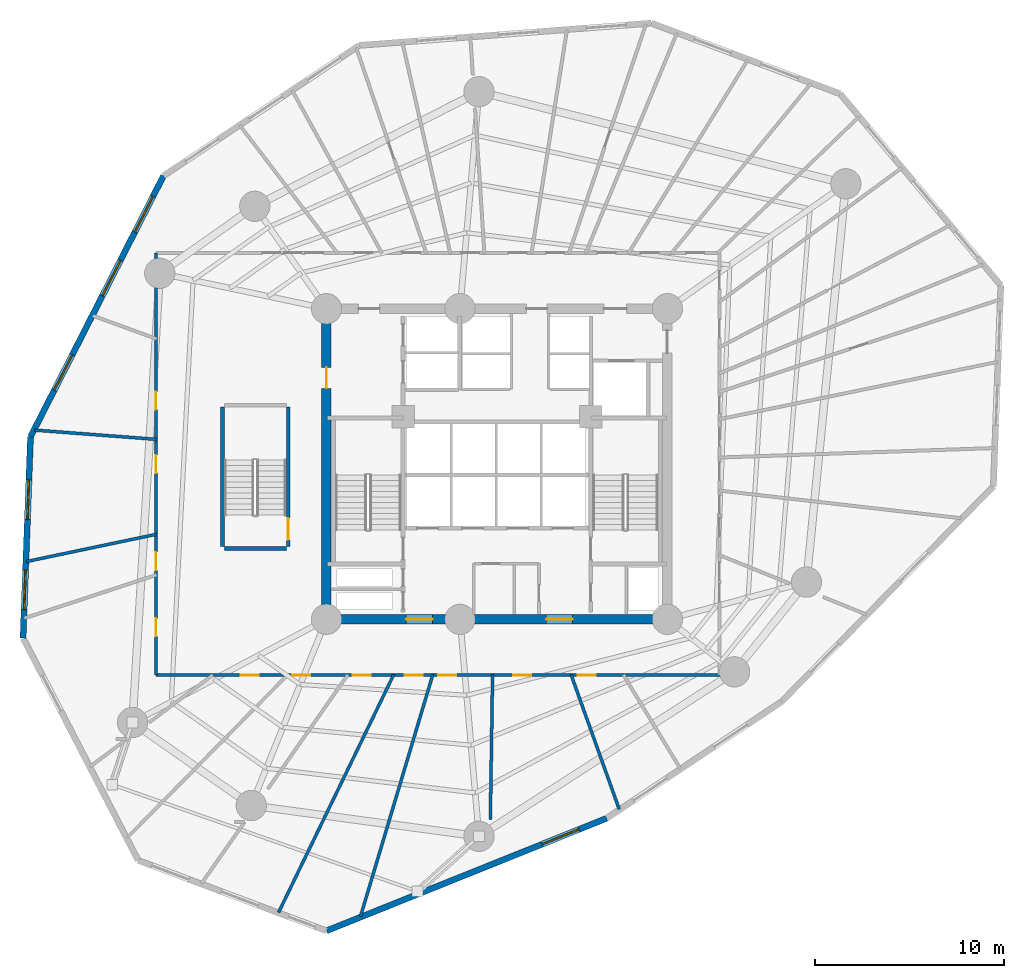
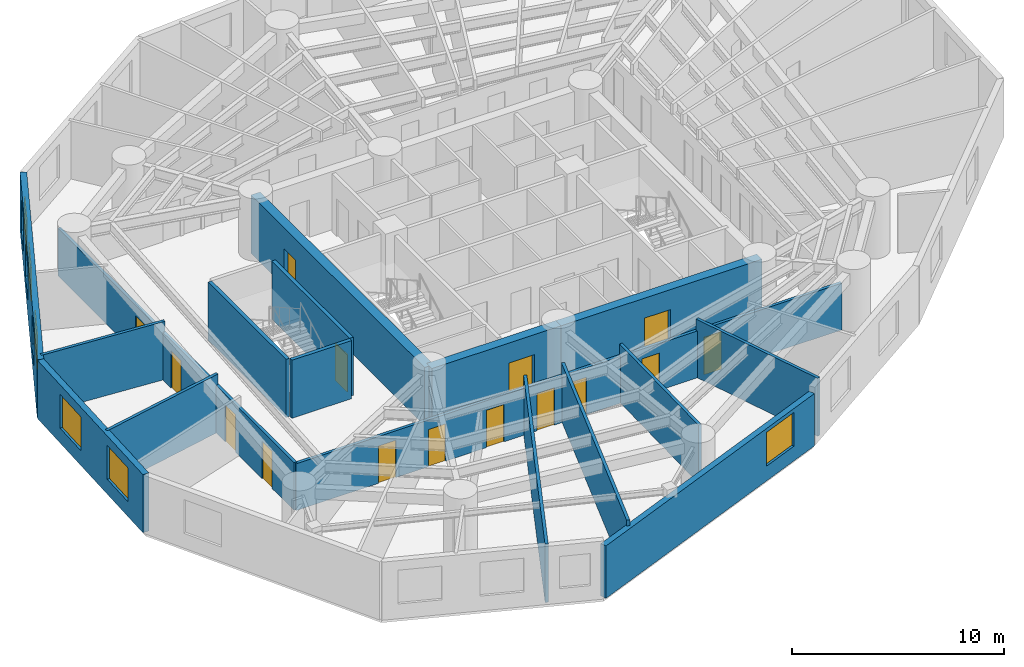
# One storey, part 3 of 8: 17 walls, 15 doors, 6 windows, 21 openings.
"""IFC4 building model written with IfcOpenShell, lengths in metres."""

from ifc_helpers import new_model, si_unit, direction, frame, frame_2d, origin, origin_with_axes, place, context, subcontext, project, spatial, rectangle, extrude, source, transform, mapped, material, layer, layer_set, type_object, element, fill, save


model = new_model("IFC4")

# Units and contexts
model_context = context("Model", 3, precision=1e-05, world=origin(), true_north=direction((0.0, 1.0)))
body_context = subcontext(model_context, "Body", "Model", "MODEL_VIEW")
ifc_project = project(units=[si_unit("LENGTHUNIT", "METRE"), si_unit("AREAUNIT", "SQUARE_METRE"), si_unit("VOLUMEUNIT", "CUBIC_METRE"), si_unit("PLANEANGLEUNIT", "RADIAN"), si_unit("MASSUNIT", "GRAM", prefix="KILO")], contexts=[model_context])

# Site, building, storey
site_placement = place(None, origin())
site = spatial("IfcSite", under=ifc_project, at=site_placement, CompositionType="ELEMENT")
building_placement = place(site_placement, origin())
building = spatial("IfcBuilding", under=site, at=building_placement, Name="Karkom Vertical University and Central Library", CompositionType="ELEMENT")
storey_placement = place(building_placement, frame((0.0, 0.0, 40.89990234375)))
storey = spatial("IfcBuildingStorey", under=building, at=storey_placement, Name="L10", CompositionType="ELEMENT", Elevation=40.89990234375)

# Wall, openings, windows
ifc_material_1 = material(Name="Brick-faced precast concrete C45/55", Category="masonry")
ifc_layer_1 = layer(ifc_material_1, 0.320068359375)
ifc_layer_set_1 = layer_set([ifc_layer_1], Name="Brick-faced precast concrete C45/55")
wall_type_1 = type_object("IfcWallType", Name="ENV-WL-BRK-320", PredefinedType="SOLIDWALL", material=ifc_layer_set_1)
wall_1_placement = place(storey_placement, frame((10.89306640625, 41.718505859375, 0.0), z_axis=(0.0, 0.0, 1.0), x_axis=(-0.453939025407, -0.891032749798, 0.0)))
wall_1 = element("IfcWall", 1, at=wall_1_placement, inside=storey, type_object=wall_type_1, Name="Level 10 Brick-Faced Precast Facade Wall 02", PredefinedType="SOLIDWALL", context=body_context, shape_type="SweptSolid", body=[
    extrude(rectangle(XDim=15.464111328125, YDim=0.320068359375, at=frame_2d((7.73193359375, 0.0))), origin(), (0.0, 0.0, 1.0), 3.35009765625),
])
opening_1_placement = place(wall_1_placement, frame((1.22314453125, 0.0, 0.85009765625)))
opening_1 = element("IfcOpeningElement", 2, at=opening_1_placement, cuts=wall_1, Name="Opening WN-03", PredefinedType="OPENING", context=body_context, shape_type="SweptSolid", body=[
    extrude(rectangle(XDim=2.10009765625, YDim=1.949951171875, at=frame_2d((1.050048828125, 0.97509765625))), frame((0.0, 0.169921875, 0.0), z_axis=(0.0, -1.0, 0.0), x_axis=(1.0, 0.0, 0.0)), (0.0, 0.0, 1.0), 0.340087890625),
])
opening_2_placement = place(wall_1_placement, frame((5.009765625, 0.0, 0.85009765625)))
opening_2 = element("IfcOpeningElement", 3, at=opening_2_placement, cuts=wall_1, Name="Opening WN-03", PredefinedType="OPENING", context=body_context, shape_type="SweptSolid", body=[
    extrude(rectangle(XDim=2.10009765625, YDim=1.949951171875, at=frame_2d((1.050048828125, 0.97509765625))), frame((0.0, 0.169921875, 0.0), z_axis=(0.0, -1.0, 0.0), x_axis=(1.0, 0.0, 0.0)), (0.0, 0.0, 1.0), 0.340087890625),
])
opening_3_placement = place(wall_1_placement, frame((10.606689453125, 0.0, 0.85009765625)))
opening_3 = element("IfcOpeningElement", 4, at=opening_3_placement, cuts=wall_1, Name="Opening WN-03", PredefinedType="OPENING", context=body_context, shape_type="SweptSolid", body=[
    extrude(rectangle(XDim=2.10009765625, YDim=1.949951171875, at=frame_2d((1.050048828125, 0.97509765625))), frame((0.0, 0.169921875, 0.0), z_axis=(0.0, -1.0, 0.0), x_axis=(1.0, 0.0, 0.0)), (0.0, 0.0, 1.0), 0.340087890625),
])
ifc_material_2 = material(Name="Aluminium thermal-break frame with solar-control IGU", Category="aluminium")
window_type = type_object("IfcWindowType", Name="ENV-WIN-WN-03", PartitioningType="SINGLE_PANEL", PredefinedType="WINDOW", material=ifc_material_2)
shared_shape_1 = source(origin_with_axes(), body_context, "Body", "SweptSolid", [
    extrude(rectangle(XDim=2.10009765625, YDim=1.949951171875, at=frame_2d((1.050048828125, 0.97509765625))), frame((0.0, 0.030029296875, 0.0), z_axis=(0.0, -1.0, 0.0), x_axis=(1.0, 0.0, 0.0)), (0.0, 0.0, 1.0), 0.06005859375),
])
window_1_placement = place(opening_1_placement, origin())
window_1 = element("IfcWindow", 5, at=window_1_placement, inside=storey, type_object=window_type, Name="Level 10 Punched Window 2.1", OverallHeight=1.949951171875, OverallWidth=2.10009765625, PartitioningType="SINGLE_PANEL", PredefinedType="WINDOW", context=body_context, shape_type="MappedRepresentation", body=[
    mapped(shared_shape_1, transform((0.0, 0.0, 0.0), scale=1.0)),
])
fill(opening_1, window_1)
window_2_placement = place(opening_2_placement, origin())
window_2 = element("IfcWindow", 6, at=window_2_placement, inside=storey, type_object=window_type, Name="Level 10 Punched Window 2.2", OverallHeight=1.949951171875, OverallWidth=2.10009765625, PartitioningType="SINGLE_PANEL", PredefinedType="WINDOW", context=body_context, shape_type="MappedRepresentation", body=[
    mapped(shared_shape_1, transform((0.0, 0.0, 0.0), scale=1.0)),
])
fill(opening_2, window_2)
window_3_placement = place(opening_3_placement, origin())
window_3 = element("IfcWindow", 7, at=window_3_placement, inside=storey, type_object=window_type, Name="Level 10 Punched Window 2.3", OverallHeight=1.949951171875, OverallWidth=2.10009765625, PartitioningType="SINGLE_PANEL", PredefinedType="WINDOW", context=body_context, shape_type="MappedRepresentation", body=[
    mapped(shared_shape_1, transform((0.0, 0.0, 0.0), scale=1.0)),
])
fill(opening_3, window_3)

wall_2_placement = place(storey_placement, frame((3.873291015625, 27.939453125, 0.0), z_axis=(0.0, 0.0, 1.0), x_axis=(-0.037051542076, -0.999313355875, 0.0)))
wall_2 = element("IfcWall", 8, at=wall_2_placement, inside=storey, type_object=wall_type_1, Name="Level 10 Brick-Faced Precast Facade Wall 03", PredefinedType="SOLIDWALL", context=body_context, shape_type="SweptSolid", body=[
    extrude(rectangle(XDim=10.6416015625, YDim=0.320068359375, at=frame_2d((5.32080078125, 0.0))), origin(), (0.0, 0.0, 1.0), 3.35009765625),
])
opening_4_placement = place(wall_2_placement, frame((2.271728515625, 0.0, 0.85009765625)))
opening_4 = element("IfcOpeningElement", 9, at=opening_4_placement, cuts=wall_2, Name="Opening WN-03", PredefinedType="OPENING", context=body_context, shape_type="SweptSolid", body=[
    extrude(rectangle(XDim=2.10009765625, YDim=1.949951171875, at=frame_2d((1.050048828125, 0.97509765625))), frame((0.0, 0.169921875, 0.0), z_axis=(0.0, -1.0, 0.0), x_axis=(1.0, 0.0, 0.0)), (0.0, 0.0, 1.0), 0.340087890625),
])
opening_5_placement = place(wall_2_placement, frame((7.02978515625, 0.0, 0.85009765625)))
opening_5 = element("IfcOpeningElement", 10, at=opening_5_placement, cuts=wall_2, Name="Opening WN-03", PredefinedType="OPENING", context=body_context, shape_type="SweptSolid", body=[
    extrude(rectangle(XDim=2.10009765625, YDim=1.949951171875, at=frame_2d((1.050048828125, 0.97509765625))), frame((0.0, 0.169921875, 0.0), z_axis=(0.0, -1.0, 0.0), x_axis=(1.0, 0.0, 0.0)), (0.0, 0.0, 1.0), 0.340087890625),
])
window_4_placement = place(opening_4_placement, origin())
window_4 = element("IfcWindow", 11, at=window_4_placement, inside=storey, type_object=window_type, Name="Level 10 Punched Window 3.1", OverallHeight=1.949951171875, OverallWidth=2.10009765625, PartitioningType="SINGLE_PANEL", PredefinedType="WINDOW", context=body_context, shape_type="MappedRepresentation", body=[
    mapped(shared_shape_1, transform((0.0, 0.0, 0.0), scale=1.0)),
])
fill(opening_4, window_4)
window_5_placement = place(opening_5_placement, origin())
window_5 = element("IfcWindow", 12, at=window_5_placement, inside=storey, type_object=window_type, Name="Level 10 Punched Window 3.2", OverallHeight=1.949951171875, OverallWidth=2.10009765625, PartitioningType="SINGLE_PANEL", PredefinedType="WINDOW", context=body_context, shape_type="MappedRepresentation", body=[
    mapped(shared_shape_1, transform((0.0, 0.0, 0.0), scale=1.0)),
])
fill(opening_5, window_5)

# Wall, opening, window
wall_3_placement = place(storey_placement, frame((19.497314453125, 1.85009765625, 0.0), z_axis=(0.0, 0.0, 1.0), x_axis=(0.927904553419, 0.372817837213, 0.0)))
wall_3 = element("IfcWall", 13, at=wall_3_placement, inside=storey, type_object=wall_type_1, Name="Level 10 Brick-Faced Precast Facade Wall 06", PredefinedType="SOLIDWALL", context=body_context, shape_type="SweptSolid", body=[
    extrude(rectangle(XDim=15.95166015625, YDim=0.320068359375, at=frame_2d((7.975830078125, 0.0))), origin(), (0.0, 0.0, 1.0), 3.02001953125),
])
opening_6_placement = place(wall_3_placement, frame((12.278564453125, 0.0, 0.85009765625)))
opening_6 = element("IfcOpeningElement", 14, at=opening_6_placement, cuts=wall_3, Name="Opening WN-03", PredefinedType="OPENING", context=body_context, shape_type="SweptSolid", body=[
    extrude(rectangle(XDim=2.10009765625, YDim=1.949951171875, at=frame_2d((1.050048828125, 0.97509765625))), frame((0.0, 0.169921875, 0.0), z_axis=(0.0, -1.0, 0.0), x_axis=(1.0, 0.0, 0.0)), (0.0, 0.0, 1.0), 0.340087890625),
])
window_6_placement = place(opening_6_placement, origin())
window_6 = element("IfcWindow", 15, at=window_6_placement, inside=storey, type_object=window_type, Name="Level 10 Punched Window 6.1", OverallHeight=1.949951171875, OverallWidth=2.10009765625, PartitioningType="SINGLE_PANEL", PredefinedType="WINDOW", context=body_context, shape_type="MappedRepresentation", body=[
    mapped(shared_shape_1, transform((0.0, 0.0, 0.0), scale=1.0)),
])
fill(opening_6, window_6)

# Wall, openings, doors
ifc_material_3 = material(Name="Insulated metal-stud drywall 160mm", Category="gypsum")
ifc_layer_2 = layer(ifc_material_3, 0.159912109375)
ifc_layer_set_2 = layer_set([ifc_layer_2], Name="Insulated metal-stud drywall 160mm")
wall_type_2 = type_object("IfcWallType", Name="INT-WL-COR-160", PredefinedType="PARTITIONING", material=ifc_layer_set_2)
wall_4_placement = place(storey_placement, frame((40.25, 15.35009765625, 0.0), z_axis=(0.0, 0.0, 1.0), x_axis=(-1.0, 0.0, 0.0)))
wall_4 = element("IfcWall", 16, at=wall_4_placement, inside=storey, type_object=wall_type_2, Name="Level 10 Interior Partition Wall L10-CORW-CW-001", PredefinedType="PARTITIONING", context=body_context, shape_type="SweptSolid", body=[
    extrude(rectangle(XDim=29.75, YDim=0.159912109375, at=frame_2d((14.875, 0.0))), origin(), (0.0, 0.0, 1.0), 2.7001953125),
])
opening_7_placement = place(wall_4_placement, frame((24.3154296875, 0.0, 0.0)))
opening_7 = element("IfcOpeningElement", 17, at=opening_7_placement, cuts=wall_4, Name="Opening D-RM1", PredefinedType="OPENING", context=body_context, shape_type="SweptSolid", body=[
    extrude(rectangle(XDim=0.949951171875, YDim=2.14990234375, at=frame_2d((0.47509765625, 1.074951171875))), frame((0.0, 0.08984375, 0.0), z_axis=(0.0, -1.0, 0.0), x_axis=(1.0, 0.0, 0.0)), (0.0, 0.0, 1.0), 0.179931640625),
])
opening_8_placement = place(wall_4_placement, frame((21.597412109375, 0.0, 0.0)))
opening_8 = element("IfcOpeningElement", 18, at=opening_8_placement, cuts=wall_4, Name="Opening D-RM1", PredefinedType="OPENING", context=body_context, shape_type="SweptSolid", body=[
    extrude(rectangle(XDim=0.949951171875, YDim=2.14990234375, at=frame_2d((0.47509765625, 1.074951171875))), frame((0.0, 0.08984375, 0.0), z_axis=(0.0, -1.0, 0.0), x_axis=(1.0, 0.0, 0.0)), (0.0, 0.0, 1.0), 0.179931640625),
])
opening_9_placement = place(wall_4_placement, frame((18.422607421875, 0.0, 0.0)))
opening_9 = element("IfcOpeningElement", 19, at=opening_9_placement, cuts=wall_4, Name="Opening D-RM1", PredefinedType="OPENING", context=body_context, shape_type="SweptSolid", body=[
    extrude(rectangle(XDim=0.949951171875, YDim=2.14990234375, at=frame_2d((0.47509765625, 1.074951171875))), frame((0.0, 0.08984375, 0.0), z_axis=(0.0, -1.0, 0.0), x_axis=(1.0, 0.0, 0.0)), (0.0, 0.0, 1.0), 0.179931640625),
])
opening_10_placement = place(wall_4_placement, frame((15.67041015625, 0.0, 0.0)))
opening_10 = element("IfcOpeningElement", 20, at=opening_10_placement, cuts=wall_4, Name="Opening D-RM1", PredefinedType="OPENING", context=body_context, shape_type="SweptSolid", body=[
    extrude(rectangle(XDim=0.949951171875, YDim=2.14990234375, at=frame_2d((0.47509765625, 1.074951171875))), frame((0.0, 0.08984375, 0.0), z_axis=(0.0, -1.0, 0.0), x_axis=(1.0, 0.0, 0.0)), (0.0, 0.0, 1.0), 0.179931640625),
])
opening_11_placement = place(wall_4_placement, frame((13.909912109375, 0.0, 0.0)))
opening_11 = element("IfcOpeningElement", 21, at=opening_11_placement, cuts=wall_4, Name="Opening D-RM1", PredefinedType="OPENING", context=body_context, shape_type="SweptSolid", body=[
    extrude(rectangle(XDim=0.949951171875, YDim=2.14990234375, at=frame_2d((0.47509765625, 1.074951171875))), frame((0.0, 0.08984375, 0.0), z_axis=(0.0, -1.0, 0.0), x_axis=(1.0, 0.0, 0.0)), (0.0, 0.0, 1.0), 0.179931640625),
])
opening_12_placement = place(wall_4_placement, frame((9.9375, 0.0, 0.0)))
opening_12 = element("IfcOpeningElement", 22, at=opening_12_placement, cuts=wall_4, Name="Opening D-RM1", PredefinedType="OPENING", context=body_context, shape_type="SweptSolid", body=[
    extrude(rectangle(XDim=0.949951171875, YDim=2.14990234375, at=frame_2d((0.47509765625, 1.074951171875))), frame((0.0, 0.08984375, 0.0), z_axis=(0.0, -1.0, 0.0), x_axis=(1.0, 0.0, 0.0)), (0.0, 0.0, 1.0), 0.179931640625),
])
opening_13_placement = place(wall_4_placement, frame((6.5224609375, 0.0, 0.0)))
opening_13 = element("IfcOpeningElement", 23, at=opening_13_placement, cuts=wall_4, Name="Opening D-RM1", PredefinedType="OPENING", context=body_context, shape_type="SweptSolid", body=[
    extrude(rectangle(XDim=0.949951171875, YDim=2.14990234375, at=frame_2d((0.47509765625, 1.074951171875))), frame((0.0, 0.08984375, 0.0), z_axis=(0.0, -1.0, 0.0), x_axis=(1.0, 0.0, 0.0)), (0.0, 0.0, 1.0), 0.179931640625),
])
ifc_material_4 = material(Name="Solid-core oak veneer door", Category="wood")
door_type_1 = type_object("IfcDoorType", Name="INT-DR-RM1", OperationType="NOTDEFINED", PredefinedType="DOOR", material=ifc_material_4)
shared_shape_2 = source(origin_with_axes(), body_context, "Body", "SweptSolid", [
    extrude(rectangle(XDim=0.949951171875, YDim=2.14990234375, at=frame_2d((0.47509765625, 1.074951171875))), frame((0.0, 0.02490234375, 0.0), z_axis=(0.0, -1.0, 0.0), x_axis=(1.0, 0.0, 0.0)), (0.0, 0.0, 1.0), 0.050048828125),
])
door_1_placement = place(opening_7_placement, origin())
door_1 = element("IfcDoor", 24, at=door_1_placement, inside=storey, type_object=door_type_1, Name="Level 10 Room Entry Door 030", OperationType="SINGLE_SWING_RIGHT", OverallHeight=2.14990234375, OverallWidth=0.949951171875, PredefinedType="DOOR", context=body_context, shape_type="MappedRepresentation", body=[
    mapped(shared_shape_2, transform((0.0, 0.0, 0.0), scale=1.0)),
])
fill(opening_7, door_1)
door_2_placement = place(opening_8_placement, origin())
door_2 = element("IfcDoor", 25, at=door_2_placement, inside=storey, type_object=door_type_1, Name="Level 10 Room Entry Door 040", OperationType="SINGLE_SWING_LEFT", OverallHeight=2.14990234375, OverallWidth=0.949951171875, PredefinedType="DOOR", context=body_context, shape_type="MappedRepresentation", body=[
    mapped(shared_shape_2, transform((0.0, 0.0, 0.0), scale=1.0)),
])
fill(opening_8, door_2)
door_3_placement = place(opening_9_placement, origin())
door_3 = element("IfcDoor", 26, at=door_3_placement, inside=storey, type_object=door_type_1, Name="Level 10 Room Entry Door 050", OperationType="SINGLE_SWING_RIGHT", OverallHeight=2.14990234375, OverallWidth=0.949951171875, PredefinedType="DOOR", context=body_context, shape_type="MappedRepresentation", body=[
    mapped(shared_shape_2, transform((0.0, 0.0, 0.0), scale=1.0)),
])
fill(opening_9, door_3)
door_4_placement = place(opening_10_placement, origin())
door_4 = element("IfcDoor", 27, at=door_4_placement, inside=storey, type_object=door_type_1, Name="Level 10 Room Entry Door 060", OperationType="SINGLE_SWING_LEFT", OverallHeight=2.14990234375, OverallWidth=0.949951171875, PredefinedType="DOOR", context=body_context, shape_type="MappedRepresentation", body=[
    mapped(shared_shape_2, transform((0.0, 0.0, 0.0), scale=1.0)),
])
fill(opening_10, door_4)
door_5_placement = place(opening_11_placement, origin())
door_5 = element("IfcDoor", 28, at=door_5_placement, inside=storey, type_object=door_type_1, Name="Level 10 Room Entry Door 070", OperationType="SINGLE_SWING_RIGHT", OverallHeight=2.14990234375, OverallWidth=0.949951171875, PredefinedType="DOOR", context=body_context, shape_type="MappedRepresentation", body=[
    mapped(shared_shape_2, transform((0.0, 0.0, 0.0), scale=1.0)),
])
fill(opening_11, door_5)
door_6_placement = place(opening_12_placement, origin())
door_6 = element("IfcDoor", 29, at=door_6_placement, inside=storey, type_object=door_type_1, Name="Level 10 Room Entry Door 080", OperationType="SINGLE_SWING_LEFT", OverallHeight=2.14990234375, OverallWidth=0.949951171875, PredefinedType="DOOR", context=body_context, shape_type="MappedRepresentation", body=[
    mapped(shared_shape_2, transform((0.0, 0.0, 0.0), scale=1.0)),
])
fill(opening_12, door_6)
door_7_placement = place(opening_13_placement, origin())
door_7 = element("IfcDoor", 30, at=door_7_placement, inside=storey, type_object=door_type_1, Name="Level 10 Room Entry Door 090", OperationType="SINGLE_SWING_RIGHT", OverallHeight=2.14990234375, OverallWidth=0.949951171875, PredefinedType="DOOR", context=body_context, shape_type="MappedRepresentation", body=[
    mapped(shared_shape_2, transform((0.0, 0.0, 0.0), scale=1.0)),
])
fill(opening_13, door_7)

wall_5_placement = place(storey_placement, frame((10.5, 15.35009765625, 0.0), z_axis=(0.0, 0.0, 1.0), x_axis=(0.0, 1.0, 0.0)))
wall_5 = element("IfcWall", 31, at=wall_5_placement, inside=storey, type_object=wall_type_2, Name="Level 10 Interior Partition Wall L10-CORW-CW-002", PredefinedType="PARTITIONING", context=body_context, shape_type="SweptSolid", body=[
    extrude(rectangle(XDim=22.2998046875, YDim=0.159912109375, at=frame_2d((11.14990234375, 0.0))), origin(), (0.0, 0.0, 1.0), 2.75),
])
opening_14_placement = place(wall_5_placement, frame((10.675048828125, 0.0, 0.0)))
opening_14 = element("IfcOpeningElement", 32, at=opening_14_placement, cuts=wall_5, Name="Opening D-RM1", PredefinedType="OPENING", context=body_context, shape_type="SweptSolid", body=[
    extrude(rectangle(XDim=0.949951171875, YDim=2.14990234375, at=frame_2d((0.47509765625, 1.074951171875))), frame((0.0, 0.08984375, 0.0), z_axis=(0.0, -1.0, 0.0), x_axis=(1.0, 0.0, 0.0)), (0.0, 0.0, 1.0), 0.179931640625),
])
opening_15_placement = place(wall_5_placement, frame((5.5400390625, 0.0, 0.0)))
opening_15 = element("IfcOpeningElement", 33, at=opening_15_placement, cuts=wall_5, Name="Opening FD-RM2", PredefinedType="OPENING", context=body_context, shape_type="SweptSolid", body=[
    extrude(rectangle(XDim=0.9599609375, YDim=2.14990234375, at=frame_2d((0.47998046875, 1.074951171875))), frame((0.0, 0.08984375, 0.0), z_axis=(0.0, -1.0, 0.0), x_axis=(1.0, 0.0, 0.0)), (0.0, 0.0, 1.0), 0.179931640625),
])
opening_16_placement = place(wall_5_placement, frame((2.055419921875, 0.0, 0.0)))
opening_16 = element("IfcOpeningElement", 34, at=opening_16_placement, cuts=wall_5, Name="Opening D-RM1", PredefinedType="OPENING", context=body_context, shape_type="SweptSolid", body=[
    extrude(rectangle(XDim=0.949951171875, YDim=2.14990234375, at=frame_2d((0.47509765625, 1.074951171875))), frame((0.0, 0.08984375, 0.0), z_axis=(0.0, -1.0, 0.0), x_axis=(1.0, 0.0, 0.0)), (0.0, 0.0, 1.0), 0.179931640625),
])
opening_17_placement = place(wall_5_placement, frame((14.02001953125, 0.0, 0.0)))
opening_17 = element("IfcOpeningElement", 35, at=opening_17_placement, cuts=wall_5, Name="Opening D-RM1", PredefinedType="OPENING", context=body_context, shape_type="SweptSolid", body=[
    extrude(rectangle(XDim=0.949951171875, YDim=2.14990234375, at=frame_2d((0.47509765625, 1.074951171875))), frame((0.0, 0.08984375, 0.0), z_axis=(0.0, -1.0, 0.0), x_axis=(1.0, 0.0, 0.0)), (0.0, 0.0, 1.0), 0.179931640625),
])
ifc_material_5 = material(Name="Fire-rated oak veneer door", Category="wood")
door_type_2 = type_object("IfcDoorType", Name="INT-DR-FRM2", OperationType="NOTDEFINED", PredefinedType="DOOR", material=ifc_material_5)
shared_shape_3 = source(origin_with_axes(), body_context, "Body", "SweptSolid", [
    extrude(rectangle(XDim=0.9599609375, YDim=2.14990234375, at=frame_2d((0.47998046875, 1.074951171875))), frame((0.0, 0.02490234375, 0.0), z_axis=(0.0, -1.0, 0.0), x_axis=(1.0, 0.0, 0.0)), (0.0, 0.0, 1.0), 0.050048828125),
])
door_8_placement = place(opening_15_placement, origin())
door_8 = element("IfcDoor", 36, at=door_8_placement, inside=storey, type_object=door_type_2, Name="Level 10 Room Entry Door 010", OperationType="SINGLE_SWING_RIGHT", OverallHeight=2.14990234375, OverallWidth=0.9599609375, PredefinedType="DOOR", context=body_context, shape_type="MappedRepresentation", body=[
    mapped(shared_shape_3, transform((0.0, 0.0, 0.0), scale=1.0)),
])
fill(opening_15, door_8)
door_9_placement = place(opening_14_placement, origin())
door_9 = element("IfcDoor", 37, at=door_9_placement, inside=storey, type_object=door_type_1, Name="Level 10 Room Entry Door 000", OperationType="SINGLE_SWING_LEFT", OverallHeight=2.14990234375, OverallWidth=0.949951171875, PredefinedType="DOOR", context=body_context, shape_type="MappedRepresentation", body=[
    mapped(shared_shape_2, transform((0.0, 0.0, 0.0), scale=1.0)),
])
fill(opening_14, door_9)
door_10_placement = place(opening_16_placement, origin())
door_10 = element("IfcDoor", 38, at=door_10_placement, inside=storey, type_object=door_type_1, Name="Level 10 Room Entry Door 020", OperationType="SINGLE_SWING_LEFT", OverallHeight=2.14990234375, OverallWidth=0.949951171875, PredefinedType="DOOR", context=body_context, shape_type="MappedRepresentation", body=[
    mapped(shared_shape_2, transform((0.0, 0.0, 0.0), scale=1.0)),
])
fill(opening_16, door_10)
door_11_placement = place(opening_17_placement, origin())
door_11 = element("IfcDoor", 39, at=door_11_placement, inside=storey, type_object=door_type_1, Name="Level 10 Room Entry Door 300", OperationType="SINGLE_SWING_RIGHT", OverallHeight=2.14990234375, OverallWidth=0.949951171875, PredefinedType="DOOR", context=body_context, shape_type="MappedRepresentation", body=[
    mapped(shared_shape_2, transform((0.0, 0.0, 0.0), scale=1.0)),
])
fill(opening_17, door_11)

# Walls
wall_6_placement = place(storey_placement, frame((23.048095703125, 15.376953125, 0.0), z_axis=(0.0, 0.0, 1.0), x_axis=(-0.435779145483, -0.900053629715, 0.0)))
element("IfcWall", 40, at=wall_6_placement, inside=storey, type_object=wall_type_2, Name="Level 10 Interior Partition Wall L10-PW-011", PredefinedType="PARTITIONING", context=body_context, shape_type="SweptSolid", body=[
    extrude(rectangle(XDim=13.9482421875, YDim=0.159912109375, at=frame_2d((6.97412109375, 0.0))), origin(), (0.0, 0.0, 1.0), 3.35009765625),
])
wall_7_placement = place(storey_placement, frame((25.11669921875, 15.39306640625, 0.0), z_axis=(0.0, 0.0, 1.0), x_axis=(-0.286429110133, -0.958101437672, 0.0)))
element("IfcWall", 41, at=wall_7_placement, inside=storey, type_object=wall_type_2, Name="Level 10 Interior Partition Wall L10-PW-012", PredefinedType="PARTITIONING", context=body_context, shape_type="SweptSolid", body=[
    extrude(rectangle(XDim=13.3369140625, YDim=0.159912109375, at=frame_2d((6.66845703125, 0.0))), origin(), (0.0, 0.0, 1.0), 3.35009765625),
])
wall_8_placement = place(storey_placement, frame((28.268798828125, 15.3798828125, 0.0), z_axis=(0.0, 0.0, 1.0), x_axis=(-0.015400941242, -0.999881398471, 0.0)))
element("IfcWall", 42, at=wall_8_placement, inside=storey, type_object=wall_type_2, Name="Level 10 Interior Partition Wall L10-PW-013", PredefinedType="PARTITIONING", context=body_context, shape_type="SweptSolid", body=[
    extrude(rectangle(XDim=7.65673828125, YDim=0.159912109375, at=frame_2d((3.828369140625, 0.0))), origin(), (0.0, 0.0, 1.0), 3.35009765625),
])
wall_9_placement = place(storey_placement, frame((32.414306640625, 15.378173828125, 0.0), z_axis=(0.0, 0.0, 1.0), x_axis=(0.336803342159, -0.941575014914, 0.0)))
element("IfcWall", 43, at=wall_9_placement, inside=storey, type_object=wall_type_2, Name="Level 10 Interior Partition Wall L10-PW-014", PredefinedType="PARTITIONING", context=body_context, shape_type="SweptSolid", body=[
    extrude(rectangle(XDim=7.551025390625, YDim=0.159912109375, at=frame_2d((3.775390625, 0.0))), origin(), (0.0, 0.0, 1.0), 3.35009765625),
])
wall_10_placement = place(storey_placement, frame((10.529296875, 22.79248046875, 0.0), z_axis=(0.0, 0.0, 1.0), x_axis=(-0.978711769211, -0.205239549813, 0.0)))
element("IfcWall", 44, at=wall_10_placement, inside=storey, type_object=wall_type_2, Name="Level 10 Interior Partition Wall L10-PW-001", PredefinedType="PARTITIONING", context=body_context, shape_type="SweptSolid", body=[
    extrude(rectangle(XDim=7.02294921875, YDim=0.159912109375, at=frame_2d((3.511474609375, 0.0))), origin(), (0.0, 0.0, 1.0), 3.35009765625),
])
wall_11_placement = place(storey_placement, frame((4.086181640625, 28.291015625, 0.0), z_axis=(0.0, 0.0, 1.0), x_axis=(0.997137480557, -0.075609819921, 0.0)))
element("IfcWall", 45, at=wall_11_placement, inside=storey, type_object=wall_type_2, Name="Level 10 Interior Partition Wall L10-PW-002", PredefinedType="PARTITIONING", context=body_context, shape_type="SweptSolid", body=[
    extrude(rectangle(XDim=6.477294921875, YDim=0.159912109375, at=frame_2d((3.23876953125, 0.0))), origin(), (0.0, 0.0, 1.0), 3.35009765625),
])

# Wall, opening, door
ifc_material_6 = material(Name="Concrete C50/60", Category="concrete")
ifc_layer_3 = layer(ifc_material_6, 0.5)
ifc_layer_set_3 = layer_set([ifc_layer_3], Name="Concrete C50/60")
wall_type_3 = type_object("IfcWallType", Name="STR-WL-CW-500", PredefinedType="SHEAR", material=ifc_layer_set_3)
wall_12_placement = place(storey_placement, frame((19.5, 18.300048828125, 0.0), z_axis=(0.0, 0.0, 1.0), x_axis=(1.0, 0.0, 0.0)))
wall_12 = element("IfcWall", 46, at=wall_12_placement, inside=storey, type_object=wall_type_3, Name="Level 10 Central Core Shear Wall SW1", PredefinedType="SHEAR", context=body_context, shape_type="SweptSolid", body=[
    extrude(rectangle(XDim=7.050048828125, YDim=0.5, at=frame_2d((3.52490234375, 0.0))), origin(), (0.0, 0.0, 1.0), 3.35009765625),
])
opening_18_placement = place(wall_12_placement, frame((4.199951171875, 0.0, 0.0)))
opening_18 = element("IfcOpeningElement", 47, at=opening_18_placement, cuts=wall_12, Name="Opening FD-CLB", PredefinedType="OPENING", context=body_context, shape_type="SweptSolid", body=[
    extrude(rectangle(XDim=1.39990234375, YDim=2.199951171875, at=frame_2d((0.699951171875, 1.10009765625))), frame((0.0, 0.260009765625, 0.0), z_axis=(0.0, -1.0, 0.0), x_axis=(1.0, 0.0, 0.0)), (0.0, 0.0, 1.0), 0.52001953125),
])
ifc_material_7 = material(Name="Painted steel fire door", Category="steel")
door_type_3 = type_object("IfcDoorType", Name="INT-DR-CLB", OperationType="DOUBLE_DOOR_SINGLE_SWING", PredefinedType="DOOR", material=ifc_material_7)
shared_shape_4 = source(origin_with_axes(), body_context, "Body", "SweptSolid", [
    extrude(rectangle(XDim=1.39990234375, YDim=2.199951171875, at=frame_2d((0.699951171875, 1.10009765625))), frame((0.0, 0.02490234375, 0.0), z_axis=(0.0, -1.0, 0.0), x_axis=(1.0, 0.0, 0.0)), (0.0, 0.0, 1.0), 0.050048828125),
])
door_12_placement = place(opening_18_placement, origin())
door_12 = element("IfcDoor", 48, at=door_12_placement, inside=storey, type_object=door_type_3, Name="Level 10 South Core Lobby West Exit Door", OperationType="DOUBLE_DOOR_SINGLE_SWING", OverallHeight=2.199951171875, OverallWidth=1.39990234375, PredefinedType="DOOR", context=body_context, shape_type="MappedRepresentation", body=[
    mapped(shared_shape_4, transform((0.0, 0.0, 0.0), scale=1.0)),
])
fill(opening_18, door_12)

wall_13_placement = place(storey_placement, frame((26.550048828125, 18.300048828125, 0.0), z_axis=(0.0, 0.0, 1.0), x_axis=(1.0, 0.0, 0.0)))
wall_13 = element("IfcWall", 49, at=wall_13_placement, inside=storey, type_object=wall_type_3, Name="Level 10 Central Core Shear Wall SW2", PredefinedType="SHEAR", context=body_context, shape_type="SweptSolid", body=[
    extrude(rectangle(XDim=10.949951171875, YDim=0.5, at=frame_2d((5.47509765625, 0.0))), origin(), (0.0, 0.0, 1.0), 3.35009765625),
])
opening_19_placement = place(wall_13_placement, frame((4.550048828125, 0.0, 0.0)))
opening_19 = element("IfcOpeningElement", 50, at=opening_19_placement, cuts=wall_13, Name="Opening FD-CLB", PredefinedType="OPENING", context=body_context, shape_type="SweptSolid", body=[
    extrude(rectangle(XDim=1.39990234375, YDim=2.199951171875, at=frame_2d((0.699951171875, 1.10009765625))), frame((0.0, 0.260009765625, 0.0), z_axis=(0.0, -1.0, 0.0), x_axis=(1.0, 0.0, 0.0)), (0.0, 0.0, 1.0), 0.52001953125),
])
door_13_placement = place(opening_19_placement, origin())
door_13 = element("IfcDoor", 51, at=door_13_placement, inside=storey, type_object=door_type_3, Name="Level 10 South Core Lobby East Exit Door", OperationType="DOUBLE_DOOR_SINGLE_SWING", OverallHeight=2.199951171875, OverallWidth=1.39990234375, PredefinedType="DOOR", context=body_context, shape_type="MappedRepresentation", body=[
    mapped(shared_shape_4, transform((0.0, 0.0, 0.0), scale=1.0)),
])
fill(opening_19, door_13)

wall_14_placement = place(storey_placement, frame((19.5, 34.699951171875, 0.0), z_axis=(0.0, 0.0, 1.0), x_axis=(0.0, -1.0, 0.0)))
wall_14 = element("IfcWall", 52, at=wall_14_placement, inside=storey, type_object=wall_type_3, Name="Level 10 Central Core Shear Wall WW", PredefinedType="SHEAR", context=body_context, shape_type="SweptSolid", body=[
    extrude(rectangle(XDim=16.39990234375, YDim=0.5, at=frame_2d((8.199951171875, 0.0))), origin(), (0.0, 0.0, 1.0), 3.35009765625),
])
opening_20_placement = place(wall_14_placement, frame((3.10009765625, 0.0, 0.0)))
opening_20 = element("IfcOpeningElement", 53, at=opening_20_placement, cuts=wall_14, Name="Opening FD-FFL", PredefinedType="OPENING", context=body_context, shape_type="SweptSolid", body=[
    extrude(rectangle(XDim=1.10009765625, YDim=2.14990234375, at=frame_2d((0.550048828125, 1.074951171875))), frame((0.0, 0.260009765625, 0.0), z_axis=(0.0, -1.0, 0.0), x_axis=(1.0, 0.0, 0.0)), (0.0, 0.0, 1.0), 0.52001953125),
])
ifc_material_8 = material(Name="Painted steel smoke-seal fire door", Category="steel")
door_type_4 = type_object("IfcDoorType", Name="INT-DR-FFL", OperationType="NOTDEFINED", PredefinedType="DOOR", material=ifc_material_8)
shared_shape_5 = source(origin_with_axes(), body_context, "Body", "SweptSolid", [
    extrude(rectangle(XDim=1.10009765625, YDim=2.14990234375, at=frame_2d((0.550048828125, 1.074951171875))), frame((0.0, 0.02490234375, 0.0), z_axis=(0.0, -1.0, 0.0), x_axis=(1.0, 0.0, 0.0)), (0.0, 0.0, 1.0), 0.050048828125),
])
door_14_placement = place(opening_20_placement, origin())
door_14 = element("IfcDoor", 54, at=door_14_placement, inside=storey, type_object=door_type_4, Name="Level 10 West Corridor Firefighting Lobby Door", OperationType="SINGLE_SWING_LEFT", OverallHeight=2.14990234375, OverallWidth=1.10009765625, PredefinedType="DOOR", context=body_context, shape_type="MappedRepresentation", body=[
    mapped(shared_shape_5, transform((0.0, 0.0, 0.0), scale=1.0)),
])
fill(opening_20, door_14)

# Wall
ifc_material_9 = material(Name="Concrete C45/55", Category="concrete")
ifc_layer_4 = layer(ifc_material_9, 0.199951171875)
ifc_layer_set_4 = layer_set([ifc_layer_4], Name="Concrete C45/55")
wall_type_4 = type_object("IfcWallType", Name="STR-WL-ST-200", PredefinedType="SHEAR", material=ifc_layer_set_4)
wall_15_placement = place(storey_placement, frame((14.014892578125, 22.14990234375, 0.0), z_axis=(0.0, 0.0, 1.0), x_axis=(0.0, 1.0, 0.0)))
element("IfcWall", 55, at=wall_15_placement, inside=storey, type_object=wall_type_4, Name="Level 10 Core Shaft Wall L10-W-ST3-W", PredefinedType="SHEAR", context=body_context, shape_type="SweptSolid", body=[
    extrude(rectangle(XDim=7.35009765625, YDim=0.199951171875, at=frame_2d((3.675048828125, 0.0))), origin(), (0.0, 0.0, 1.0), 3.35009765625),
])

# Wall, opening, door
wall_16_placement = place(storey_placement, frame((17.485107421875, 22.14990234375, 0.0), z_axis=(0.0, 0.0, 1.0), x_axis=(0.0, 1.0, 0.0)))
wall_16 = element("IfcWall", 56, at=wall_16_placement, inside=storey, type_object=wall_type_4, Name="Level 10 Core Shaft Wall L10-W-ST3-E", PredefinedType="SHEAR", context=body_context, shape_type="SweptSolid", body=[
    extrude(rectangle(XDim=7.35009765625, YDim=0.199951171875, at=frame_2d((3.675048828125, 0.0))), origin(), (0.0, 0.0, 1.0), 3.35009765625),
])
opening_21_placement = place(wall_16_placement, frame((0.35009765625, 0.0, 0.0)))
opening_21 = element("IfcOpeningElement", 57, at=opening_21_placement, cuts=wall_16, Name="Opening FD-ST1", PredefinedType="OPENING", context=body_context, shape_type="SweptSolid", body=[
    extrude(rectangle(XDim=1.14990234375, YDim=2.14990234375, at=frame_2d((0.574951171875, 1.074951171875))), frame((0.0, 0.10986328125, 0.0), z_axis=(0.0, -1.0, 0.0), x_axis=(1.0, 0.0, 0.0)), (0.0, 0.0, 1.0), 0.219970703125),
])
ifc_material_10 = material(Name="Painted steel acoustic fire door", Category="steel")
door_type_5 = type_object("IfcDoorType", Name="INT-DR-ST1", OperationType="NOTDEFINED", PredefinedType="DOOR", material=ifc_material_10)
shared_shape_6 = source(origin_with_axes(), body_context, "Body", "SweptSolid", [
    extrude(rectangle(XDim=1.14990234375, YDim=2.14990234375, at=frame_2d((0.574951171875, 1.074951171875))), frame((0.0, 0.02490234375, 0.0), z_axis=(0.0, -1.0, 0.0), x_axis=(1.0, 0.0, 0.0)), (0.0, 0.0, 1.0), 0.050048828125),
])
door_15_placement = place(opening_21_placement, origin())
door_15 = element("IfcDoor", 58, at=door_15_placement, inside=storey, type_object=door_type_5, Name="Level 10 Stair ST-3 Fire Door", OperationType="SINGLE_SWING_RIGHT", OverallHeight=2.14990234375, OverallWidth=1.14990234375, PredefinedType="DOOR", context=body_context, shape_type="MappedRepresentation", body=[
    mapped(shared_shape_6, transform((0.0, 0.0, 0.0), scale=1.0)),
])
fill(opening_21, door_15)

# Wall
wall_17_placement = place(storey_placement, frame((14.1201171875, 22.044921875, 0.0), z_axis=(0.0, 0.0, 1.0), x_axis=(1.0, 0.0, 0.0)))
element("IfcWall", 59, at=wall_17_placement, inside=storey, type_object=wall_type_4, Name="Level 10 Core Shaft Wall L10-W-ST3-S", PredefinedType="SHEAR", context=body_context, shape_type="SweptSolid", body=[
    extrude(rectangle(XDim=3.259765625, YDim=0.199951171875, at=frame_2d((1.6298828125, 0.0))), origin(), (0.0, 0.0, 1.0), 3.35009765625),
])

save(model, "model.ifc")
